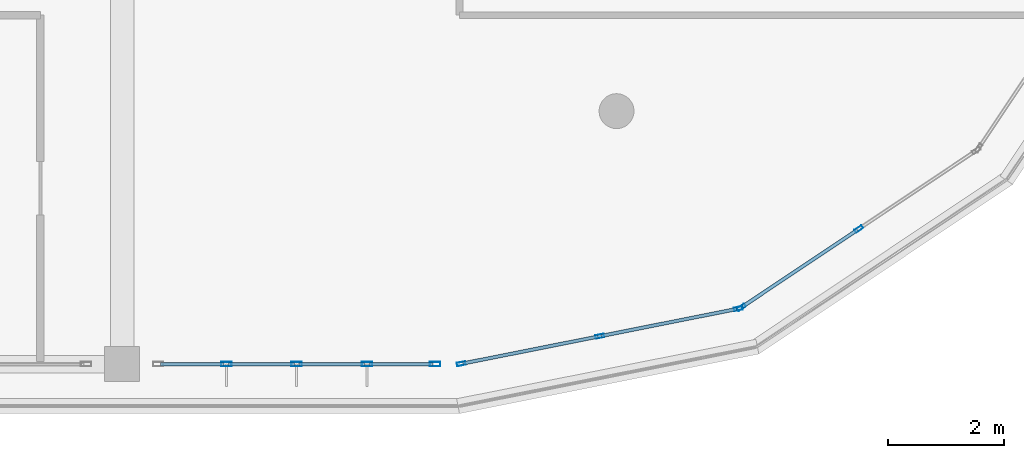
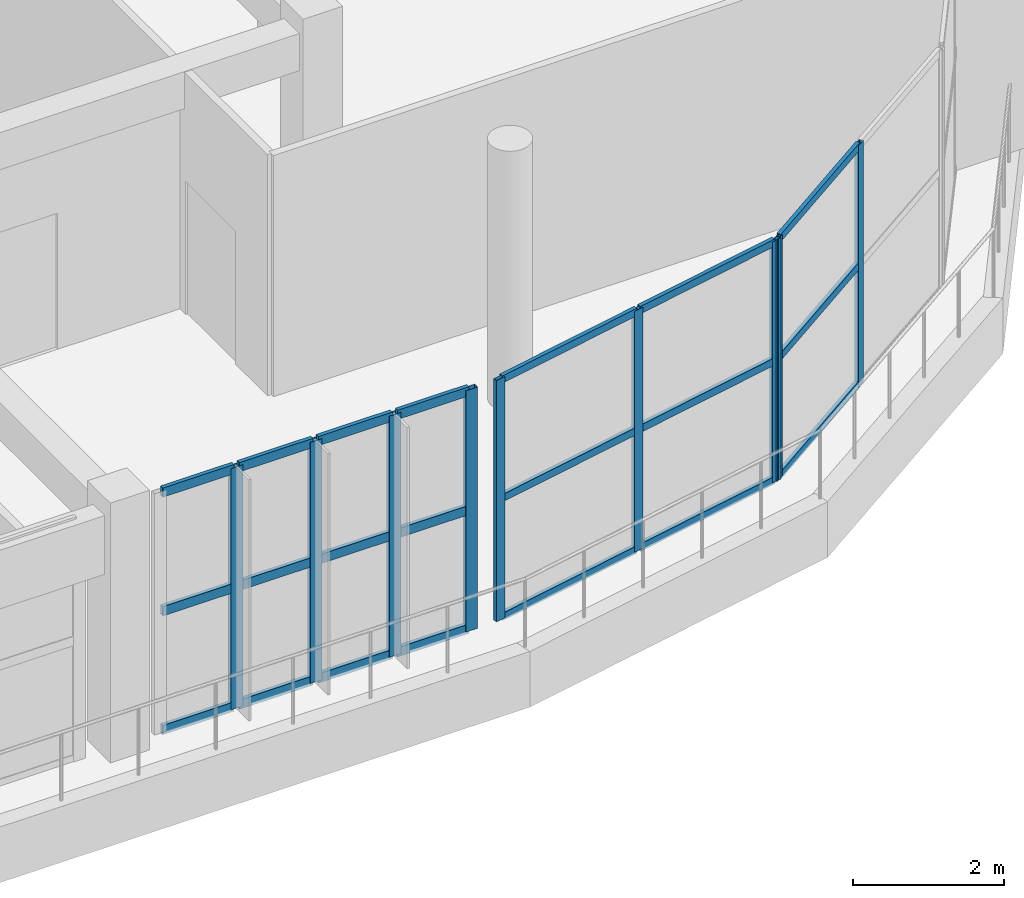
# One storey, part 23 of 50: 30 members, 3 elements without a shape of their own.
"""IFC4 building model written with IfcOpenShell, lengths in metres."""

import ifcopenshell
import ifcopenshell.guid

model = None  # the IFC model being written
_history = None  # IfcOwnerHistory: only IFC2X3 demands one
_inside = {}  # id of a spatial element -> (the spatial element, [elements in it])
_under = {}  # id of a project, library or spatial element -> (it, [spatial elements below it])
_declared = {}  # id of a project -> (the project, [libraries it declares])
_typed = {}  # id of a type object -> (the type object, [elements of that type])
_made_of = {}  # id of a material, layer set ... -> (it, [elements and type objects made of it])


def new_model(schema):
    """Start an empty IFC model of exactly this schema.

    Asked for "IFC4X3", IfcOpenShell would pick the latest addendum, in which some entities
    have other attributes; the version numbers below select the first issue.
    IFC2X3 requires an IfcOwnerHistory on every rooted entity: one is made here for all.
    """
    global model, _history
    if schema == "IFC4X3":
        model = ifcopenshell.file(schema_version=(4, 3, 0, 0))
    else:
        model = ifcopenshell.file(schema=schema)
    _inside.clear()
    _under.clear()
    _declared.clear()
    _typed.clear()
    _made_of.clear()
    _history = None
    if model.schema == "IFC2X3":
        org = make("IfcOrganization", Name="unknown")
        user = make(
            "IfcPersonAndOrganization",
            ThePerson=make("IfcPerson", FamilyName="unknown"),
            TheOrganization=org,
        )
        app = make(
            "IfcApplication",
            ApplicationDeveloper=org,
            Version="unknown",
            ApplicationFullName="unknown",
            ApplicationIdentifier="unknown",
        )
        _history = make(
            "IfcOwnerHistory",
            OwningUser=user,
            OwningApplication=app,
            ChangeAction="ADDED",
            CreationDate=0,
        )
    return model


def make(cls, **values):
    """One entity of the class cls with the attributes given. An attribute that is None is left unset."""
    return model.create_entity(
        cls, **{name: value for name, value in values.items() if value is not None}
    )


def rooted(cls, **values):
    """An entity with a GlobalId (a new one), such as an element, a storey or a relation."""
    return make(cls, GlobalId=ifcopenshell.guid.new(), OwnerHistory=_history, **values)


def si_unit(unit_type, name, prefix=None):
    """IfcSIUnit, for example si_unit("LENGTHUNIT", "METRE", prefix="MILLI")."""
    return make("IfcSIUnit", UnitType=unit_type, Prefix=prefix, Name=name)


def assignment(units):
    """IfcUnitAssignment: the units of a project."""
    return None if units is None else make("IfcUnitAssignment", Units=units)


def point(xyz):
    """IfcCartesianPoint."""
    return None if xyz is None else make("IfcCartesianPoint", Coordinates=xyz)


def direction(xyz):
    """IfcDirection."""
    return None if xyz is None else make("IfcDirection", DirectionRatios=xyz)


def frame(location, z_axis=None, x_axis=None):
    """IfcAxis2Placement3D, a coordinate frame: its origin and axes. An axis left out is left unset."""
    return make(
        "IfcAxis2Placement3D",
        Location=point(location),
        Axis=direction(z_axis),
        RefDirection=direction(x_axis),
    )


def frame_2d(location, x_axis=None):
    """IfcAxis2Placement2D, a coordinate frame in the plane: its origin and x axis."""
    return make(
        "IfcAxis2Placement2D", Location=point(location), RefDirection=direction(x_axis)
    )


def origin():
    """The frame at (0, 0, 0) with its axes left unset."""
    return frame((0.0, 0.0, 0.0))


def origin_2d():
    """The frame at (0, 0) in the plane with its x axis left unset."""
    return frame_2d((0.0, 0.0))


def place(relative_to, where):
    """IfcLocalPlacement: puts the frame where relative to a parent placement (None: the world)."""
    return make(
        "IfcLocalPlacement", PlacementRelTo=relative_to, RelativePlacement=where
    )


def context(
    kind, dimensions, precision=None, world=None, true_north=None, identifier=None
):
    """IfcGeometricRepresentationContext, for example the 3D "Model" context."""
    return make(
        "IfcGeometricRepresentationContext",
        ContextIdentifier=identifier,
        ContextType=kind,
        CoordinateSpaceDimension=dimensions,
        Precision=precision,
        WorldCoordinateSystem=world,
        TrueNorth=true_north,
    )


def subcontext(parent, identifier, kind, view, scale=None):
    """IfcGeometricRepresentationSubContext, for example "Body" below "Model"."""
    return make(
        "IfcGeometricRepresentationSubContext",
        ContextIdentifier=identifier,
        ContextType=kind,
        ParentContext=parent,
        TargetScale=scale,
        TargetView=view,
    )


def project(units=None, contexts=None):
    """IfcProject with its units and contexts."""
    return rooted(
        "IfcProject",
        Name="project",
        RepresentationContexts=contexts,
        UnitsInContext=assignment(units),
    )


def spatial(cls, under=None, at=None, **own):
    """A site, building, storey or space (cls), placed at a placement, below another one or the project."""
    s = rooted(cls, ObjectPlacement=at, **own)
    if under is not None:
        _under.setdefault(under.id(), (under, []))[1].append(s)
    return s


def profile(cls, at=None, kind="AREA", **sizes):
    """A parametric profile (cls). Its sizes go by their IFC names, for example OverallWidth=200.0."""
    return make(cls, ProfileType=kind, Position=at, **sizes)


def hollow_rectangle(**sizes):
    """IfcRectangleHollowProfileDef."""
    return profile("IfcRectangleHollowProfileDef", **sizes)


def extrude(swept, where, along, depth):
    """IfcExtrudedAreaSolid: the profile swept, set in the frame where, extruded along a direction by depth."""
    return make(
        "IfcExtrudedAreaSolid",
        SweptArea=swept,
        Position=where,
        ExtrudedDirection=direction(along),
        Depth=depth,
    )


def shape(context_of_items, identifier, shape_type, items):
    """IfcShapeRepresentation: the items that make up one representation, for example the "Body"."""
    return make(
        "IfcShapeRepresentation",
        ContextOfItems=context_of_items,
        RepresentationIdentifier=identifier,
        RepresentationType=shape_type,
        Items=items,
    )


def material(Name=None, Category=None):
    """IfcMaterial."""
    return make("IfcMaterial", Name=Name, Category=Category)


def layer(
    of_material, thickness, ventilated=None, Name=None, Category=None, Priority=None
):
    """IfcMaterialLayer: one layer of a wall or slab, of a material (None: an air gap)."""
    return make(
        "IfcMaterialLayer",
        Material=of_material,
        LayerThickness=thickness,
        IsVentilated=ventilated,
        Name=Name,
        Category=Category,
        Priority=Priority,
    )


def layer_set(layers, Name=None):
    """IfcMaterialLayerSet."""
    return make("IfcMaterialLayerSet", MaterialLayers=layers, LayerSetName=Name)


def material_profile(
    of_material, cross_section, Name=None, Category=None, Priority=None
):
    """IfcMaterialProfile: a cross section and its material."""
    return make(
        "IfcMaterialProfile",
        Name=Name,
        Material=of_material,
        Profile=cross_section,
        Priority=Priority,
        Category=Category,
    )


def profile_set(profiles, Name=None, composite=None):
    """IfcMaterialProfileSet."""
    return make(
        "IfcMaterialProfileSet",
        Name=Name,
        MaterialProfiles=profiles,
        CompositeProfile=composite,
    )


def made_of(thing, what):
    """Note that an element or type object is made of a material, layer set ...; save() writes the relation."""
    if what is not None:
        _made_of.setdefault(what.id(), (what, []))[1].append(thing)
    return thing


def type_object(cls, material=None, **own):
    """A type object (cls), such as IfcWallType, which elements share."""
    return made_of(rooted(cls, **own), material)


def element(
    cls,
    number,
    at=None,
    inside=None,
    cuts=None,
    type_object=None,
    material=None,
    context=None,
    identifier="Body",
    shape_type=None,
    held_by="IfcProductDefinitionShape",
    body=None,
    shapes=None,
    **own,
):
    """One element of the class cls, such as IfcWall. Its Tag is "e" and its number.

    at: its placement. inside: the storey or other place that contains it. cuts: it is an
    opening in that element (IfcRelVoidsElement). A single representation is given by context,
    identifier, shape_type and body (its items); several are given by shapes. held_by: the class
    of the entity that holds the representations. save() writes the other relations.
    """
    e = rooted(cls, Tag="e%d" % number, ObjectPlacement=at, **own)
    if body is not None:
        shapes = [shape(context, identifier, shape_type, body)]
    if shapes is not None:
        e.Representation = make(held_by, Representations=shapes)
    if inside is not None:
        _inside.setdefault(inside.id(), (inside, []))[1].append(e)
    if cuts is not None:
        rooted(
            "IfcRelVoidsElement", RelatingBuildingElement=cuts, RelatedOpeningElement=e
        )
    if type_object is not None:
        _typed.setdefault(type_object.id(), (type_object, []))[1].append(e)
    return made_of(e, material)


def aggregate(whole, parts):
    """IfcRelAggregates: a whole, such as a stair, and the parts it consists of."""
    return rooted("IfcRelAggregates", RelatingObject=whole, RelatedObjects=parts)


def save(model, path):
    """Write the relations noted so far, then the file.

    IfcRelAggregates (storeys below a building ...), IfcRelContainedInSpatialStructure (elements
    in a storey), IfcRelDefinesByType, IfcRelAssociatesMaterial and IfcRelDeclares: one each for
    every whole, place, type object, material and project.
    """
    for whole, parts in _under.values():
        aggregate(whole, parts)
    for where, things in _inside.values():
        rooted(
            "IfcRelContainedInSpatialStructure",
            RelatedElements=things,
            RelatingStructure=where,
        )
    for kind, things in _typed.values():
        rooted("IfcRelDefinesByType", RelatedObjects=things, RelatingType=kind)
    for what, things in _made_of.values():
        rooted("IfcRelAssociatesMaterial", RelatedObjects=things, RelatingMaterial=what)
    for by, libraries in _declared.values():
        rooted("IfcRelDeclares", RelatingContext=by, RelatedDefinitions=libraries)
    model.write(path)


model = new_model("IFC4")

# Units and contexts
model_context = context("Model", 3, precision=1e-05, world=origin(), true_north=direction((0.0, 1.0)))
body_context = subcontext(model_context, "Body", "Model", "MODEL_VIEW")
ifc_project = project(units=[si_unit("LENGTHUNIT", "METRE"), si_unit("AREAUNIT", "SQUARE_METRE"), si_unit("VOLUMEUNIT", "CUBIC_METRE"), si_unit("PLANEANGLEUNIT", "RADIAN"), si_unit("MASSUNIT", "GRAM", prefix="KILO")], contexts=[model_context])

# Site, building, storey
site_placement = place(None, origin())
site = spatial("IfcSite", under=ifc_project, at=site_placement, CompositionType="ELEMENT")
building_placement = place(site_placement, origin())
building = spatial("IfcBuilding", under=site, at=building_placement, Name="Zizhar Promenade General Hospital", CompositionType="ELEMENT")
storey_placement = place(building_placement, frame((0.0, 0.0, 30.60009765625)))
storey = spatial("IfcBuildingStorey", under=building, at=storey_placement, Name="L07", CompositionType="ELEMENT", Elevation=30.60009765625)

# Curtain wall, members
ifc_material_1 = material(Name="Anodised aluminium 6063-T6 and low-E glass", Category="aluminium")
ifc_layer_1 = layer(ifc_material_1, 0.159912109375)
ifc_layer_set_1 = layer_set([ifc_layer_1], Name="Anodised aluminium 6063-T6 and low-E glass")
curtain_wall_type_1 = type_object("IfcCurtainWallType", Name="CW-WARD-ARC", PredefinedType="NOTDEFINED", material=ifc_layer_set_1)
curtain_wall_1_placement = place(storey_placement, origin())
curtain_wall_1 = element("IfcCurtainWall", 1, at=curtain_wall_1_placement, inside=storey, type_object=curtain_wall_type_1, Name="Ward Semicircular End Glazing L07-01", PredefinedType="NOTDEFINED")
ifc_material_2 = material(Name="Anodised aluminium 6063-T6", Category="aluminium")
ifc_material_profile_1 = material_profile(ifc_material_2, hollow_rectangle(XDim=0.06005859375, YDim=0.14990234375, WallThickness=0.00390625, at=origin_2d()))
ifc_profile_set_1 = profile_set([ifc_material_profile_1], Name="Anodised aluminium 6063-T6")
member_type_1 = type_object("IfcMemberType", Name="CWM-ALU-150x60", PredefinedType="MULLION", material=ifc_profile_set_1)
member_1_placement = place(storey_placement, frame((111.992431640625, 0.953369140625, 0.0), z_axis=(0.0, 0.0, 1.0), x_axis=(0.195087259275, -0.980785889615, 0.0)))
member_1 = element("IfcMember", 2, at=member_1_placement, type_object=member_type_1, Name="CW-12 mullion 1", PredefinedType="MULLION", context=body_context, shape_type="SweptSolid", body=[
    extrude(hollow_rectangle(XDim=0.06005859375, YDim=0.14990234375, WallThickness=0.00390625, at=origin_2d()), origin(), (0.0, 0.0, 1.0), 3.89990234375),
])
member_2_placement = place(storey_placement, frame((109.61083984375, 0.4794921875, 0.0), z_axis=(0.0, 0.0, 1.0), x_axis=(0.195087259275, -0.980785889615, 0.0)))
member_2 = element("IfcMember", 3, at=member_2_placement, type_object=member_type_1, Name="CW-12 mullion 2", PredefinedType="MULLION", context=body_context, shape_type="SweptSolid", body=[
    extrude(hollow_rectangle(XDim=0.06005859375, YDim=0.14990234375, WallThickness=0.00390625, at=origin_2d()), origin(), (0.0, 0.0, 1.0), 3.89990234375),
])
member_3_placement = place(storey_placement, frame((107.2294921875, 0.005859375, 0.0), z_axis=(0.0, 0.0, 1.0), x_axis=(0.195087259275, -0.980785889615, 0.0)))
member_3 = element("IfcMember", 4, at=member_3_placement, type_object=member_type_1, Name="CW-12 mullion 3", PredefinedType="MULLION", context=body_context, shape_type="SweptSolid", body=[
    extrude(hollow_rectangle(XDim=0.06005859375, YDim=0.14990234375, WallThickness=0.00390625, at=origin_2d()), origin(), (0.0, 0.0, 1.0), 3.89990234375),
])

curtain_wall_2_placement = place(storey_placement, origin())
curtain_wall_2 = element("IfcCurtainWall", 5, at=curtain_wall_2_placement, inside=storey, type_object=curtain_wall_type_1, Name="Ward Semicircular End Glazing L07-02", PredefinedType="NOTDEFINED")
member_4_placement = place(storey_placement, frame((114.065673828125, 2.32470703125, 0.0), z_axis=(0.0, 0.0, 1.0), x_axis=(0.555582352095, -0.831461514468, 0.0)))
member_4 = element("IfcMember", 6, at=member_4_placement, type_object=member_type_1, Name="CW-12 mullion 2", PredefinedType="MULLION", context=body_context, shape_type="SweptSolid", body=[
    extrude(hollow_rectangle(XDim=0.06005859375, YDim=0.14990234375, WallThickness=0.00390625, at=origin_2d()), origin(), (0.0, 0.0, 1.0), 3.89990234375),
])
member_5_placement = place(storey_placement, frame((112.046630859375, 0.975830078125, 0.0), z_axis=(0.0, 0.0, 1.0), x_axis=(0.555582352095, -0.831461514468, 0.0)))
member_5 = element("IfcMember", 7, at=member_5_placement, type_object=member_type_1, Name="CW-12 mullion 3", PredefinedType="MULLION", context=body_context, shape_type="SweptSolid", body=[
    extrude(hollow_rectangle(XDim=0.06005859375, YDim=0.14990234375, WallThickness=0.00390625, at=origin_2d()), origin(), (0.0, 0.0, 1.0), 3.89990234375),
])

ifc_material_3 = material(Name="Anodised aluminium 6063-T6 and low-E glass", Category="aluminium")
ifc_layer_2 = layer(ifc_material_3, 0.159912109375)
ifc_layer_set_2 = layer_set([ifc_layer_2], Name="Anodised aluminium 6063-T6 and low-E glass")
curtain_wall_type_2 = type_object("IfcCurtainWallType", Name="CW-WARD-RIB", PredefinedType="NOTDEFINED", material=ifc_layer_set_2)
curtain_wall_3_placement = place(storey_placement, origin())
curtain_wall_3 = element("IfcCurtainWall", 8, at=curtain_wall_3_placement, inside=storey, type_object=curtain_wall_type_2, Name="Ward Ribbon Curtain Wall L07-17-0", PredefinedType="NOTDEFINED")
ifc_material_4 = material(Name="Anodised aluminium 6063-T6", Category="aluminium")
ifc_material_profile_2 = material_profile(ifc_material_4, hollow_rectangle(XDim=0.080078125, YDim=0.179931640625, WallThickness=0.0048828125, at=origin_2d()))
ifc_profile_set_2 = profile_set([ifc_material_profile_2], Name="Anodised aluminium 6063-T6")
member_type_2 = type_object("IfcMemberType", Name="CWM-ALU-180x80", PredefinedType="MULLION", material=ifc_profile_set_2)
member_6_placement = place(storey_placement, frame((106.780029296875, 0.0, 0.0), z_axis=(0.0, 0.0, 1.0), x_axis=(0.0, -1.0, 0.0)))
member_6 = element("IfcMember", 9, at=member_6_placement, type_object=member_type_2, Name="CW-13 mullion 1", PredefinedType="MULLION", context=body_context, shape_type="SweptSolid", body=[
    extrude(hollow_rectangle(XDim=0.080078125, YDim=0.179931640625, WallThickness=0.0048828125, at=origin_2d()), origin(), (0.0, 0.0, 1.0), 3.89990234375),
])
member_7_placement = place(storey_placement, frame((105.610107421875, 0.0, 0.0), z_axis=(0.0, 0.0, 1.0), x_axis=(0.0, -1.0, 0.0)))
member_7 = element("IfcMember", 10, at=member_7_placement, type_object=member_type_2, Name="CW-13 mullion 2", PredefinedType="MULLION", context=body_context, shape_type="SweptSolid", body=[
    extrude(hollow_rectangle(XDim=0.080078125, YDim=0.179931640625, WallThickness=0.0048828125, at=origin_2d()), origin(), (0.0, 0.0, 1.0), 3.89990234375),
])
member_8_placement = place(storey_placement, frame((104.39990234375, 0.0, 0.0), z_axis=(0.0, 0.0, 1.0), x_axis=(0.0, -1.0, 0.0)))
member_8 = element("IfcMember", 11, at=member_8_placement, type_object=member_type_2, Name="CW-13 mullion 3", PredefinedType="MULLION", context=body_context, shape_type="SweptSolid", body=[
    extrude(hollow_rectangle(XDim=0.080078125, YDim=0.179931640625, WallThickness=0.0048828125, at=origin_2d()), origin(), (0.0, 0.0, 1.0), 3.89990234375),
])
member_9_placement = place(storey_placement, frame((103.18994140625, 0.0, 0.0), z_axis=(0.0, 0.0, 1.0), x_axis=(0.0, -1.0, 0.0)))
member_9 = element("IfcMember", 12, at=member_9_placement, type_object=member_type_2, Name="CW-13 mullion 4", PredefinedType="MULLION", context=body_context, shape_type="SweptSolid", body=[
    extrude(hollow_rectangle(XDim=0.080078125, YDim=0.179931640625, WallThickness=0.0048828125, at=origin_2d()), origin(), (0.0, 0.0, 1.0), 3.89990234375),
])

# Member
ifc_material_5 = material(Name="Anodised aluminium 6063-T6", Category="aluminium")
ifc_material_profile_3 = material_profile(ifc_material_5, hollow_rectangle(XDim=0.06005859375, YDim=0.1201171875, WallThickness=0.00390625, at=origin_2d()))
ifc_profile_set_3 = profile_set([ifc_material_profile_3], Name="Anodised aluminium 6063-T6")
member_type_3 = type_object("IfcMemberType", Name="CWT-ALU-120x60", PredefinedType="USERDEFINED", material=ifc_profile_set_3)
member_10_placement = place(storey_placement, frame((111.962890625, 0.947509765625, 0.02978515625), z_axis=(-0.98077054851, -0.195164369634, 0.0), x_axis=(0.195164369634, -0.98077054851, 0.0)))
member_10 = element("IfcMember", 13, at=member_10_placement, type_object=member_type_3, Name="CW-12 transom 1.1", ObjectType="TRANSOM", PredefinedType="USERDEFINED", context=body_context, shape_type="SweptSolid", body=[
    extrude(hollow_rectangle(XDim=0.06005859375, YDim=0.1201171875, WallThickness=0.00390625, at=origin_2d()), origin(), (0.0, 0.0, 1.0), 2.3681640625),
])

member_11_placement = place(storey_placement, frame((111.962890625, 0.947509765625, 1.949951171875), z_axis=(-0.98077054851, -0.195164369634, 0.0), x_axis=(0.195164369634, -0.98077054851, 0.0)))
member_11 = element("IfcMember", 14, at=member_11_placement, type_object=member_type_3, Name="CW-12 transom 1.2", ObjectType="TRANSOM", PredefinedType="USERDEFINED", context=body_context, shape_type="SweptSolid", body=[
    extrude(hollow_rectangle(XDim=0.06005859375, YDim=0.1201171875, WallThickness=0.00390625, at=origin_2d()), origin(), (0.0, 0.0, 1.0), 2.3681640625),
])

member_12_placement = place(storey_placement, frame((111.962890625, 0.947509765625, 3.869873046875), z_axis=(-0.98077054851, -0.195164369634, 0.0), x_axis=(0.195164369634, -0.98077054851, 0.0)))
member_12 = element("IfcMember", 15, at=member_12_placement, type_object=member_type_3, Name="CW-12 transom 1.3", ObjectType="TRANSOM", PredefinedType="USERDEFINED", context=body_context, shape_type="SweptSolid", body=[
    extrude(hollow_rectangle(XDim=0.06005859375, YDim=0.1201171875, WallThickness=0.00390625, at=origin_2d()), origin(), (0.0, 0.0, 1.0), 2.3681640625),
])

member_13_placement = place(storey_placement, frame((109.58154296875, 0.4736328125, 0.02978515625), z_axis=(-0.980794200422, -0.195045472693, 0.0), x_axis=(0.195045472693, -0.980794200422, 0.0)))
member_13 = element("IfcMember", 16, at=member_13_placement, type_object=member_type_3, Name="CW-12 transom 2.1", ObjectType="TRANSOM", PredefinedType="USERDEFINED", context=body_context, shape_type="SweptSolid", body=[
    extrude(hollow_rectangle(XDim=0.06005859375, YDim=0.1201171875, WallThickness=0.00390625, at=origin_2d()), origin(), (0.0, 0.0, 1.0), 2.3681640625),
])

member_14_placement = place(storey_placement, frame((109.58154296875, 0.4736328125, 1.949951171875), z_axis=(-0.980794200422, -0.195045472693, 0.0), x_axis=(0.195045472693, -0.980794200422, 0.0)))
member_14 = element("IfcMember", 17, at=member_14_placement, type_object=member_type_3, Name="CW-12 transom 2.2", ObjectType="TRANSOM", PredefinedType="USERDEFINED", context=body_context, shape_type="SweptSolid", body=[
    extrude(hollow_rectangle(XDim=0.06005859375, YDim=0.1201171875, WallThickness=0.00390625, at=origin_2d()), origin(), (0.0, 0.0, 1.0), 2.3681640625),
])

member_15_placement = place(storey_placement, frame((109.58154296875, 0.4736328125, 3.869873046875), z_axis=(-0.980794200422, -0.195045472693, 0.0), x_axis=(0.195045472693, -0.980794200422, 0.0)))
member_15 = element("IfcMember", 18, at=member_15_placement, type_object=member_type_3, Name="CW-12 transom 2.3", ObjectType="TRANSOM", PredefinedType="USERDEFINED", context=body_context, shape_type="SweptSolid", body=[
    extrude(hollow_rectangle(XDim=0.06005859375, YDim=0.1201171875, WallThickness=0.00390625, at=origin_2d()), origin(), (0.0, 0.0, 1.0), 2.3681640625),
])

aggregate(curtain_wall_1, [member_1, member_2, member_3, member_10, member_11, member_12, member_13, member_14, member_15])

member_16_placement = place(storey_placement, frame((114.040771484375, 2.30810546875, 0.02978515625), z_axis=(-0.831462978956, -0.555580160396, 0.0), x_axis=(0.555580160396, -0.831462978956, 0.0)))
member_16 = element("IfcMember", 19, at=member_16_placement, type_object=member_type_3, Name="CW-12 transom 2.1", ObjectType="TRANSOM", PredefinedType="USERDEFINED", context=body_context, shape_type="SweptSolid", body=[
    extrude(hollow_rectangle(XDim=0.06005859375, YDim=0.1201171875, WallThickness=0.00390625, at=origin_2d()), origin(), (0.0, 0.0, 1.0), 2.3681640625),
])

member_17_placement = place(storey_placement, frame((114.040771484375, 2.30810546875, 1.949951171875), z_axis=(-0.831462978956, -0.555580160396, 0.0), x_axis=(0.555580160396, -0.831462978956, 0.0)))
member_17 = element("IfcMember", 20, at=member_17_placement, type_object=member_type_3, Name="CW-12 transom 2.2", ObjectType="TRANSOM", PredefinedType="USERDEFINED", context=body_context, shape_type="SweptSolid", body=[
    extrude(hollow_rectangle(XDim=0.06005859375, YDim=0.1201171875, WallThickness=0.00390625, at=origin_2d()), origin(), (0.0, 0.0, 1.0), 2.3681640625),
])

member_18_placement = place(storey_placement, frame((114.040771484375, 2.30810546875, 3.869873046875), z_axis=(-0.831462978956, -0.555580160396, 0.0), x_axis=(0.555580160396, -0.831462978956, 0.0)))
member_18 = element("IfcMember", 21, at=member_18_placement, type_object=member_type_3, Name="CW-12 transom 2.3", ObjectType="TRANSOM", PredefinedType="USERDEFINED", context=body_context, shape_type="SweptSolid", body=[
    extrude(hollow_rectangle(XDim=0.06005859375, YDim=0.1201171875, WallThickness=0.00390625, at=origin_2d()), origin(), (0.0, 0.0, 1.0), 2.3681640625),
])

aggregate(curtain_wall_2, [member_4, member_5, member_16, member_17, member_18])

ifc_material_6 = material(Name="Anodised aluminium 6063-T6", Category="aluminium")
ifc_material_profile_4 = material_profile(ifc_material_6, hollow_rectangle(XDim=0.06005859375, YDim=0.14990234375, WallThickness=0.00390625, at=origin_2d()))
ifc_profile_set_4 = profile_set([ifc_material_profile_4], Name="Anodised aluminium 6063-T6")
member_type_4 = type_object("IfcMemberType", Name="CWT-ALU-150x60", PredefinedType="USERDEFINED", material=ifc_profile_set_4)
member_19_placement = place(storey_placement, frame((106.739990234375, 0.0, 0.02978515625), z_axis=(-1.0, 0.0, 0.0), x_axis=(0.0, -1.0, 0.0)))
member_19 = element("IfcMember", 22, at=member_19_placement, type_object=member_type_4, Name="CW-13 transom 1.1", ObjectType="TRANSOM", PredefinedType="USERDEFINED", context=body_context, shape_type="SweptSolid", body=[
    extrude(hollow_rectangle(XDim=0.06005859375, YDim=0.14990234375, WallThickness=0.00390625, at=origin_2d()), origin(), (0.0, 0.0, 1.0), 1.090087890625),
])

member_20_placement = place(storey_placement, frame((106.739990234375, 0.0, 1.949951171875), z_axis=(-1.0, 0.0, 0.0), x_axis=(0.0, -1.0, 0.0)))
member_20 = element("IfcMember", 23, at=member_20_placement, type_object=member_type_4, Name="CW-13 transom 1.2", ObjectType="TRANSOM", PredefinedType="USERDEFINED", context=body_context, shape_type="SweptSolid", body=[
    extrude(hollow_rectangle(XDim=0.06005859375, YDim=0.14990234375, WallThickness=0.00390625, at=origin_2d()), origin(), (0.0, 0.0, 1.0), 1.090087890625),
])

member_21_placement = place(storey_placement, frame((106.739990234375, 0.0, 3.869873046875), z_axis=(-1.0, 0.0, 0.0), x_axis=(0.0, -1.0, 0.0)))
member_21 = element("IfcMember", 24, at=member_21_placement, type_object=member_type_4, Name="CW-13 transom 1.3", ObjectType="TRANSOM", PredefinedType="USERDEFINED", context=body_context, shape_type="SweptSolid", body=[
    extrude(hollow_rectangle(XDim=0.06005859375, YDim=0.14990234375, WallThickness=0.00390625, at=origin_2d()), origin(), (0.0, 0.0, 1.0), 1.090087890625),
])

member_22_placement = place(storey_placement, frame((105.570068359375, 0.0, 0.02978515625), z_axis=(-1.0, 0.0, 0.0), x_axis=(0.0, -1.0, 0.0)))
member_22 = element("IfcMember", 25, at=member_22_placement, type_object=member_type_4, Name="CW-13 transom 2.1", ObjectType="TRANSOM", PredefinedType="USERDEFINED", context=body_context, shape_type="SweptSolid", body=[
    extrude(hollow_rectangle(XDim=0.06005859375, YDim=0.14990234375, WallThickness=0.00390625, at=origin_2d()), origin(), (0.0, 0.0, 1.0), 1.130126953125),
])

member_23_placement = place(storey_placement, frame((105.570068359375, 0.0, 1.949951171875), z_axis=(-1.0, 0.0, 0.0), x_axis=(0.0, -1.0, 0.0)))
member_23 = element("IfcMember", 26, at=member_23_placement, type_object=member_type_4, Name="CW-13 transom 2.2", ObjectType="TRANSOM", PredefinedType="USERDEFINED", context=body_context, shape_type="SweptSolid", body=[
    extrude(hollow_rectangle(XDim=0.06005859375, YDim=0.14990234375, WallThickness=0.00390625, at=origin_2d()), origin(), (0.0, 0.0, 1.0), 1.130126953125),
])

member_24_placement = place(storey_placement, frame((105.570068359375, 0.0, 3.869873046875), z_axis=(-1.0, 0.0, 0.0), x_axis=(0.0, -1.0, 0.0)))
member_24 = element("IfcMember", 27, at=member_24_placement, type_object=member_type_4, Name="CW-13 transom 2.3", ObjectType="TRANSOM", PredefinedType="USERDEFINED", context=body_context, shape_type="SweptSolid", body=[
    extrude(hollow_rectangle(XDim=0.06005859375, YDim=0.14990234375, WallThickness=0.00390625, at=origin_2d()), origin(), (0.0, 0.0, 1.0), 1.130126953125),
])

member_25_placement = place(storey_placement, frame((104.360107421875, 0.0, 0.02978515625), z_axis=(-1.0, 0.0, 0.0), x_axis=(0.0, -1.0, 0.0)))
member_25 = element("IfcMember", 28, at=member_25_placement, type_object=member_type_4, Name="CW-13 transom 3.1", ObjectType="TRANSOM", PredefinedType="USERDEFINED", context=body_context, shape_type="SweptSolid", body=[
    extrude(hollow_rectangle(XDim=0.06005859375, YDim=0.14990234375, WallThickness=0.00390625, at=origin_2d()), origin(), (0.0, 0.0, 1.0), 1.130126953125),
])

member_26_placement = place(storey_placement, frame((104.360107421875, 0.0, 1.949951171875), z_axis=(-1.0, 0.0, 0.0), x_axis=(0.0, -1.0, 0.0)))
member_26 = element("IfcMember", 29, at=member_26_placement, type_object=member_type_4, Name="CW-13 transom 3.2", ObjectType="TRANSOM", PredefinedType="USERDEFINED", context=body_context, shape_type="SweptSolid", body=[
    extrude(hollow_rectangle(XDim=0.06005859375, YDim=0.14990234375, WallThickness=0.00390625, at=origin_2d()), origin(), (0.0, 0.0, 1.0), 1.130126953125),
])

member_27_placement = place(storey_placement, frame((104.360107421875, 0.0, 3.869873046875), z_axis=(-1.0, 0.0, 0.0), x_axis=(0.0, -1.0, 0.0)))
member_27 = element("IfcMember", 30, at=member_27_placement, type_object=member_type_4, Name="CW-13 transom 3.3", ObjectType="TRANSOM", PredefinedType="USERDEFINED", context=body_context, shape_type="SweptSolid", body=[
    extrude(hollow_rectangle(XDim=0.06005859375, YDim=0.14990234375, WallThickness=0.00390625, at=origin_2d()), origin(), (0.0, 0.0, 1.0), 1.130126953125),
])

member_28_placement = place(storey_placement, frame((103.14990234375, 0.0, 0.02978515625), z_axis=(-1.0, 0.0, 0.0), x_axis=(0.0, -1.0, 0.0)))
member_28 = element("IfcMember", 31, at=member_28_placement, type_object=member_type_4, Name="CW-13 transom 4.1", ObjectType="TRANSOM", PredefinedType="USERDEFINED", context=body_context, shape_type="SweptSolid", body=[
    extrude(hollow_rectangle(XDim=0.06005859375, YDim=0.14990234375, WallThickness=0.00390625, at=origin_2d()), origin(), (0.0, 0.0, 1.0), 1.08984375),
])

member_29_placement = place(storey_placement, frame((103.14990234375, 0.0, 1.949951171875), z_axis=(-1.0, 0.0, 0.0), x_axis=(0.0, -1.0, 0.0)))
member_29 = element("IfcMember", 32, at=member_29_placement, type_object=member_type_4, Name="CW-13 transom 4.2", ObjectType="TRANSOM", PredefinedType="USERDEFINED", context=body_context, shape_type="SweptSolid", body=[
    extrude(hollow_rectangle(XDim=0.06005859375, YDim=0.14990234375, WallThickness=0.00390625, at=origin_2d()), origin(), (0.0, 0.0, 1.0), 1.08984375),
])

member_30_placement = place(storey_placement, frame((103.14990234375, 0.0, 3.869873046875), z_axis=(-1.0, 0.0, 0.0), x_axis=(0.0, -1.0, 0.0)))
member_30 = element("IfcMember", 33, at=member_30_placement, type_object=member_type_4, Name="CW-13 transom 4.3", ObjectType="TRANSOM", PredefinedType="USERDEFINED", context=body_context, shape_type="SweptSolid", body=[
    extrude(hollow_rectangle(XDim=0.06005859375, YDim=0.14990234375, WallThickness=0.00390625, at=origin_2d()), origin(), (0.0, 0.0, 1.0), 1.08984375),
])

aggregate(curtain_wall_3, [member_6, member_7, member_8, member_9, member_19, member_20, member_21, member_22, member_23, member_24, member_25, member_26, member_27, member_28, member_29, member_30])

save(model, "model.ifc")
